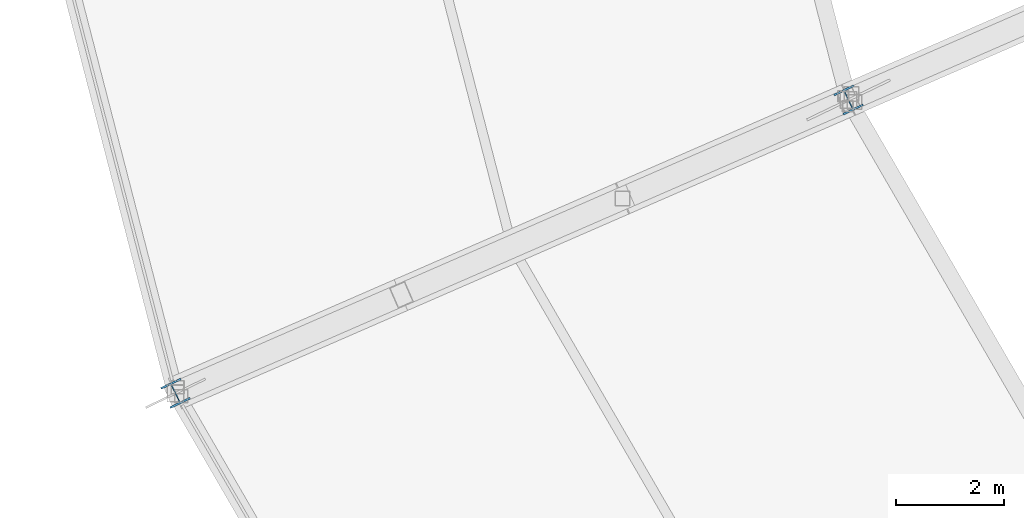
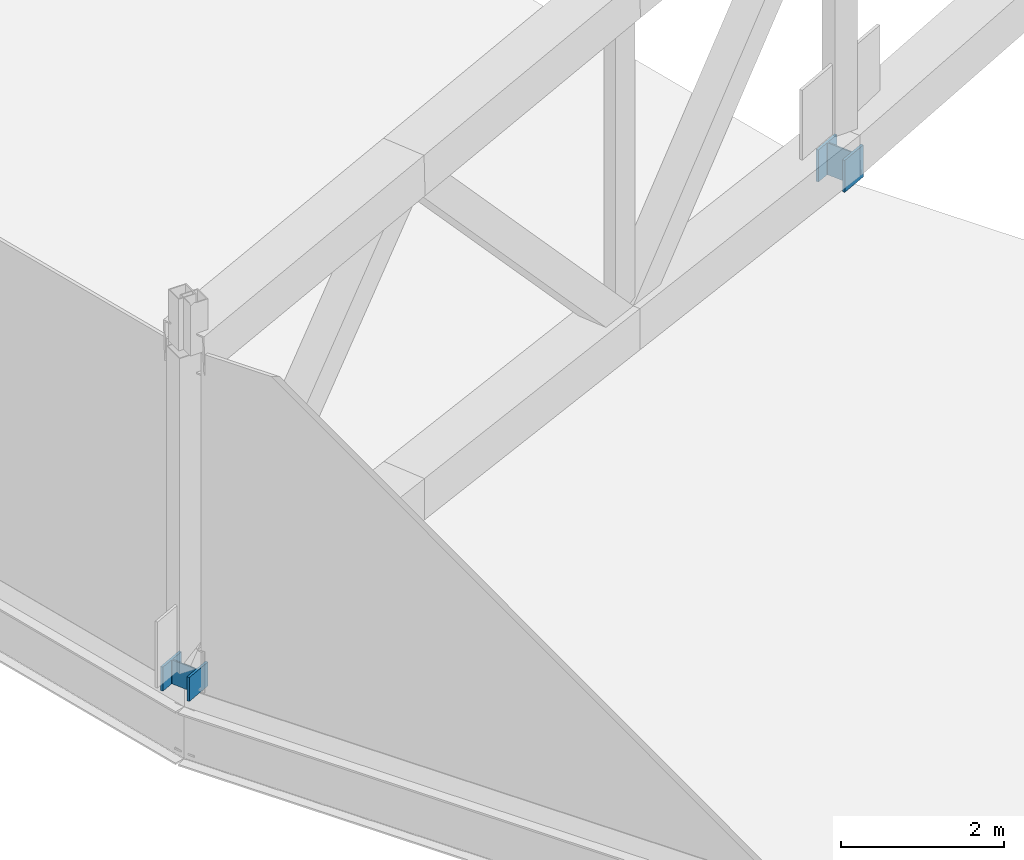
# One storey, part 6 of 162: 2 columns.
"""IFC4 building model written with IfcOpenShell, lengths in metres."""

from ifc_helpers import new_model, si_unit, direction, frame, origin, origin_2d, place, context, subcontext, project, spatial, i_section, extrude, material, material_profile, profile_set, type_object, element, save


model = new_model("IFC4")

# Units and contexts
model_context = context("Model", 3, precision=1e-05, world=origin(), true_north=direction((0.0, 1.0)))
body_context = subcontext(model_context, "Body", "Model", "MODEL_VIEW")
ifc_project = project(units=[si_unit("LENGTHUNIT", "METRE"), si_unit("AREAUNIT", "SQUARE_METRE"), si_unit("VOLUMEUNIT", "CUBIC_METRE"), si_unit("PLANEANGLEUNIT", "RADIAN"), si_unit("MASSUNIT", "GRAM", prefix="KILO")], contexts=[model_context])

# Site, building, storey
site_placement = place(None, origin())
site = spatial("IfcSite", under=ifc_project, at=site_placement, CompositionType="ELEMENT")
building_placement = place(site_placement, origin())
building = spatial("IfcBuilding", under=site, at=building_placement, Name="Kazemori Nagisa Stadium", CompositionType="ELEMENT")
storey_placement = place(building_placement, frame((0.0, 0.0, 36.719970703125)))
storey = spatial("IfcBuildingStorey", under=building, at=storey_placement, Name="RF", CompositionType="ELEMENT", Elevation=36.719970703125)

# Columns
ifc_material = material(Name="Steel SN490B", Category="steel")
ifc_material_profile = material_profile(ifc_material, i_section(OverallWidth=0.406982421875, OverallDepth=0.427978515625, WebThickness=0.02001953125, FlangeThickness=0.034912109375, FilletRadius=0.012939453125, at=origin_2d()), Name="H-428x407x20x35")
ifc_profile_set = profile_set([ifc_material_profile], Name="Steel SN490B")
column_type = type_object("IfcColumnType", Name="Column_C-H428", PredefinedType="COLUMN", material=ifc_profile_set)
column_1_placement = place(storey_placement, frame((34.114990234375, 63.25048828125, 0.0), z_axis=(0.0, 0.0, 1.0), x_axis=(-0.900968867905, -0.433883739113, 0.0)))
element("IfcColumn", 1, at=column_1_placement, inside=storey, type_object=column_type, Name="Roof truss bearing pedestal R3-17", PredefinedType="COLUMN", context=body_context, shape_type="SweptSolid", body=[
    extrude(i_section(OverallWidth=0.406982421875, OverallDepth=0.427978515625, WebThickness=0.02001953125, FlangeThickness=0.034912109375, FilletRadius=0.012939453125, at=origin_2d()), origin(), (0.0, 0.0, 1.0), 0.360107421875),
])
column_2_placement = place(storey_placement, frame((46.55908203125, 68.67529296875, 0.0), z_axis=(0.0, 0.0, 1.0), x_axis=(-0.900968867905, -0.433883739113, 0.0)))
element("IfcColumn", 2, at=column_2_placement, inside=storey, type_object=column_type, Name="Roof truss bearing pedestal R2-17", PredefinedType="COLUMN", context=body_context, shape_type="SweptSolid", body=[
    extrude(i_section(OverallWidth=0.406982421875, OverallDepth=0.427978515625, WebThickness=0.02001953125, FlangeThickness=0.034912109375, FilletRadius=0.012939453125, at=origin_2d()), origin(), (0.0, 0.0, 1.0), 0.47998046875),
])

save(model, "model.ifc")
